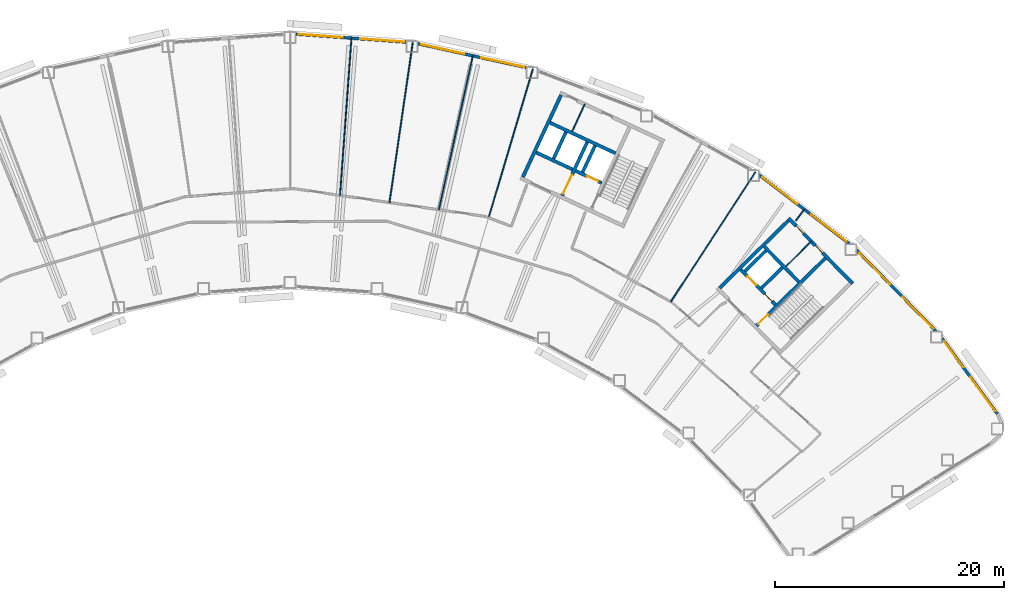
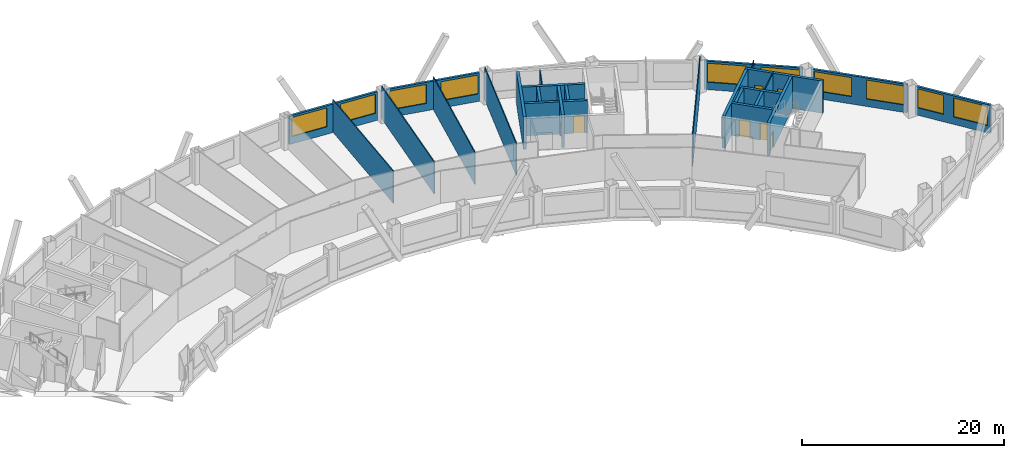
# One storey, part 7 of 11: 27 walls, 10 windows, 7 doors, 17 openings.
"""IFC4 building model written with IfcOpenShell, lengths in metres."""

from ifc_helpers import new_model, si_unit, direction, frame, frame_2d, origin, place, context, subcontext, project, spatial, rectangle, extrude, material, layer, layer_set, type_object, element, fill, save


model = new_model("IFC4")

# Units and contexts
model_context = context("Model", 3, precision=1e-05, world=origin(), true_north=direction((0.0, 1.0)))
body_context = subcontext(model_context, "Body", "Model", "MODEL_VIEW")
ifc_project = project(units=[si_unit("LENGTHUNIT", "METRE"), si_unit("AREAUNIT", "SQUARE_METRE"), si_unit("VOLUMEUNIT", "CUBIC_METRE"), si_unit("PLANEANGLEUNIT", "RADIAN"), si_unit("MASSUNIT", "GRAM", prefix="KILO")], contexts=[model_context])

# Site, building, storey
site_placement = place(None, origin())
site = spatial("IfcSite", under=ifc_project, at=site_placement, CompositionType="ELEMENT")
building_placement = place(site_placement, origin())
building = spatial("IfcBuilding", under=site, at=building_placement, Name="Tuul Gate Civic Tower", CompositionType="ELEMENT")
storey_placement = place(building_placement, frame((0.0, 0.0, 138.199951171875)))
storey = spatial("IfcBuildingStorey", under=building, at=storey_placement, Name="Level 31", CompositionType="ELEMENT", Elevation=138.199951171875)

# Wall, openings, doors
ifc_material_1 = material(Name="Concrete C50/60", Category="concrete")
ifc_layer_1 = layer(ifc_material_1, 0.300048828125)
ifc_layer_set_1 = layer_set([ifc_layer_1], Name="Concrete C50/60")
wall_type_1 = type_object("IfcWallType", Name="Core wall C50/60", PredefinedType="SHEAR", material=ifc_layer_set_1)
wall_1_placement = place(storey_placement, frame((47.701904296875, -14.079833984375, 0.0), z_axis=(0.0, 0.0, 1.0), x_axis=(-0.700002721075, 0.714140175657, 0.0)))
wall_1 = element("IfcWall", 1, at=wall_1_placement, inside=storey, type_object=wall_type_1, Name="Core wall", PredefinedType="SHEAR", context=body_context, shape_type="SweptSolid", body=[
    extrude(rectangle(XDim=4.300048828125, YDim=0.300048828125, at=frame_2d((2.14990234375, 0.0))), origin(), (0.0, 0.0, 1.0), 3.900146484375),
])
opening_1_placement = place(wall_1_placement, frame((0.425048828125, 0.0, 0.0)))
opening_1 = element("IfcOpeningElement", 2, at=opening_1_placement, cuts=wall_1, Name="Opening FB-E1A1", PredefinedType="OPENING", context=body_context, shape_type="SweptSolid", body=[
    extrude(rectangle(XDim=0.89990234375, YDim=2.10009765625, at=frame_2d((0.449951171875, 1.050048828125))), frame((0.0, 0.16015625, 0.0), z_axis=(0.0, -1.0, 0.0), x_axis=(1.0, 0.0, 0.0)), (0.0, 0.0, 1.0), 0.320068359375),
])
opening_2_placement = place(wall_1_placement, frame((2.375, 0.0, 0.0)))
opening_2 = element("IfcOpeningElement", 3, at=opening_2_placement, cuts=wall_1, Name="Opening LD-M3", PredefinedType="OPENING", context=body_context, shape_type="SweptSolid", body=[
    extrude(rectangle(XDim=1.10009765625, YDim=2.10009765625, at=frame_2d((0.550048828125, 1.050048828125))), frame((0.0, 0.16015625, 0.0), z_axis=(0.0, -1.0, 0.0), x_axis=(1.0, 0.0, 0.0)), (0.0, 0.0, 1.0), 0.320068359375),
])
ifc_material_2 = material(Name="Stainless steel", Category="steel")
door_type_1 = type_object("IfcDoorType", Name="Landing door", OperationType="DOUBLE_DOOR_SLIDING", PredefinedType="DOOR", material=ifc_material_2)
door_1_placement = place(opening_2_placement, origin())
door_1 = element("IfcDoor", 4, at=door_1_placement, inside=storey, type_object=door_type_1, Name="Mid-rise lift M3 landing door", OperationType="DOUBLE_DOOR_SLIDING", OverallHeight=2.10009765625, OverallWidth=1.10009765625, PredefinedType="DOOR", context=body_context, shape_type="SweptSolid", body=[
    extrude(rectangle(XDim=1.10009765625, YDim=2.10009765625, at=frame_2d((0.550048828125, 1.050048828125))), frame((0.0, 0.02490234375, 0.0), z_axis=(0.0, -1.0, 0.0), x_axis=(1.0, 0.0, 0.0)), (0.0, 0.0, 1.0), 0.050048828125),
])
fill(opening_2, door_1)
ifc_material_3 = material(Name="Steel", Category="steel")
door_type_2 = type_object("IfcDoorType", Name="Store door", OperationType="NOTDEFINED", PredefinedType="DOOR", material=ifc_material_3)
door_2_placement = place(opening_1_placement, frame((0.89990234375, 0.0, 0.0), z_axis=(0.0, 0.0, 1.0), x_axis=(-1.0, 0.0, 0.0)))
door_2 = element("IfcDoor", 5, at=door_2_placement, inside=storey, type_object=door_type_2, Name="Store door E1A1", OperationType="SINGLE_SWING_RIGHT", OverallHeight=2.10009765625, OverallWidth=0.89990234375, PredefinedType="DOOR", context=body_context, shape_type="SweptSolid", body=[
    extrude(rectangle(XDim=0.89990234375, YDim=2.10009765625, at=frame_2d((0.449951171875, 1.050048828125))), frame((0.0, 0.02490234375, 0.0), z_axis=(0.0, -1.0, 0.0), x_axis=(1.0, 0.0, 0.0)), (0.0, 0.0, 1.0), 0.050048828125),
])
fill(opening_1, door_2)

# Wall
wall_2_placement = place(storey_placement, frame((49.737060546875, -12.0849609375, 0.0), z_axis=(0.0, 0.0, 1.0), x_axis=(-0.700002721075, 0.714140175657, 0.0)))
element("IfcWall", 6, at=wall_2_placement, inside=storey, type_object=wall_type_1, Name="Core wall", PredefinedType="SHEAR", context=body_context, shape_type="SweptSolid", body=[
    extrude(rectangle(XDim=4.300048828125, YDim=0.300048828125, at=frame_2d((2.14990234375, 0.0))), origin(), (0.0, 0.0, 1.0), 3.900146484375),
])

# Wall, openings, doors
wall_3_placement = place(storey_placement, frame((54.43798828125, -12.23779296875, 0.0), z_axis=(0.0, 0.0, 1.0), x_axis=(-0.700021979774, 0.714121297703, 0.0)))
wall_3 = element("IfcWall", 7, at=wall_3_placement, inside=storey, type_object=wall_type_1, Name="Core wall", PredefinedType="SHEAR", context=body_context, shape_type="SweptSolid", body=[
    extrude(rectangle(XDim=8.0, YDim=0.300048828125, at=frame_2d((4.0, 0.0))), origin(), (0.0, 0.0, 1.0), 3.900146484375),
])
opening_3_placement = place(wall_3_placement, frame((3.75, 0.0, 0.0)))
opening_3 = element("IfcOpeningElement", 8, at=opening_3_placement, cuts=wall_3, Name="Opening K-D24", PredefinedType="OPENING", context=body_context, shape_type="SweptSolid", body=[
    extrude(rectangle(XDim=0.89990234375, YDim=2.10009765625, at=frame_2d((0.449951171875, 1.050048828125))), frame((0.0, 0.16015625, 0.0), z_axis=(0.0, -1.0, 0.0), x_axis=(1.0, 0.0, 0.0)), (0.0, 0.0, 1.0), 0.320068359375),
])
opening_4_placement = place(wall_3_placement, frame((6.125, 0.0, 0.0)))
opening_4 = element("IfcOpeningElement", 9, at=opening_4_placement, cuts=wall_3, Name="Opening K-D25", PredefinedType="OPENING", context=body_context, shape_type="SweptSolid", body=[
    extrude(rectangle(XDim=0.89990234375, YDim=2.10009765625, at=frame_2d((0.449951171875, 1.050048828125))), frame((0.0, 0.16015625, 0.0), z_axis=(0.0, -1.0, 0.0), x_axis=(1.0, 0.0, 0.0)), (0.0, 0.0, 1.0), 0.320068359375),
])
ifc_material_4 = material(Name="Timber door leaf", Category="wood")
door_type_3 = type_object("IfcDoorType", Name="Door D09", OperationType="NOTDEFINED", PredefinedType="DOOR", material=ifc_material_4)
door_3_placement = place(opening_3_placement, origin())
door_3 = element("IfcDoor", 10, at=door_3_placement, inside=storey, type_object=door_type_3, Name="Door K-D24", OperationType="SINGLE_SWING_LEFT", OverallHeight=2.10009765625, OverallWidth=0.89990234375, PredefinedType="DOOR", context=body_context, shape_type="SweptSolid", body=[
    extrude(rectangle(XDim=0.89990234375, YDim=2.10009765625, at=frame_2d((0.449951171875, 1.050048828125))), frame((0.0, 0.02490234375, 0.0), z_axis=(0.0, -1.0, 0.0), x_axis=(1.0, 0.0, 0.0)), (0.0, 0.0, 1.0), 0.050048828125),
])
fill(opening_3, door_3)
door_4_placement = place(opening_4_placement, origin())
door_4 = element("IfcDoor", 11, at=door_4_placement, inside=storey, type_object=door_type_3, Name="Door K-D25", OperationType="SINGLE_SWING_LEFT", OverallHeight=2.10009765625, OverallWidth=0.89990234375, PredefinedType="DOOR", context=body_context, shape_type="SweptSolid", body=[
    extrude(rectangle(XDim=0.89990234375, YDim=2.10009765625, at=frame_2d((0.449951171875, 1.050048828125))), frame((0.0, 0.02490234375, 0.0), z_axis=(0.0, -1.0, 0.0), x_axis=(1.0, 0.0, 0.0)), (0.0, 0.0, 1.0), 0.050048828125),
])
fill(opening_4, door_4)

# Wall, opening, door
wall_4_placement = place(storey_placement, frame((46.05712890625, -15.902099609375, 0.0), z_axis=(0.0, 0.0, 1.0), x_axis=(0.714134086973, 0.700008932674, 0.0)))
wall_4 = element("IfcWall", 12, at=wall_4_placement, inside=storey, type_object=wall_type_1, Name="Core wall", PredefinedType="SHEAR", context=body_context, shape_type="SweptSolid", body=[
    extrude(rectangle(XDim=8.400146484375, YDim=0.300048828125, at=frame_2d((4.2001953125, 0.0))), origin(), (0.0, 0.0, 1.0), 3.900146484375),
])
opening_5_placement = place(wall_4_placement, frame((0.199951171875, 0.0, 0.0)))
opening_5 = element("IfcOpeningElement", 13, at=opening_5_placement, cuts=wall_4, Name="Opening SD-ST-3", PredefinedType="OPENING", context=body_context, shape_type="SweptSolid", body=[
    extrude(rectangle(XDim=1.199951171875, YDim=2.10009765625, at=frame_2d((0.60009765625, 1.050048828125))), frame((0.0, 0.16015625, 0.0), z_axis=(0.0, -1.0, 0.0), x_axis=(1.0, 0.0, 0.0)), (0.0, 0.0, 1.0), 0.320068359375),
])
ifc_material_5 = material(Name="Steel", Category="steel")
door_type_4 = type_object("IfcDoorType", Name="Stair door", OperationType="NOTDEFINED", PredefinedType="DOOR", material=ifc_material_5)
door_5_placement = place(opening_5_placement, origin())
door_5 = element("IfcDoor", 14, at=door_5_placement, inside=storey, type_object=door_type_4, Name="Stair door ST-3", OperationType="SINGLE_SWING_LEFT", OverallHeight=2.10009765625, OverallWidth=1.199951171875, PredefinedType="DOOR", context=body_context, shape_type="SweptSolid", body=[
    extrude(rectangle(XDim=1.199951171875, YDim=2.10009765625, at=frame_2d((0.60009765625, 1.050048828125))), frame((0.0, 0.02490234375, 0.0), z_axis=(0.0, -1.0, 0.0), x_axis=(1.0, 0.0, 0.0)), (0.0, 0.0, 1.0), 0.050048828125),
])
fill(opening_5, door_5)

# Walls
wall_5_placement = place(storey_placement, frame((46.47900390625, -12.617919921875, 0.0), z_axis=(0.0, 0.0, 1.0), x_axis=(0.71410944159, 0.700034074479, 0.0)))
element("IfcWall", 15, at=wall_5_placement, inside=storey, type_object=wall_type_1, Name="Core wall", PredefinedType="SHEAR", context=body_context, shape_type="SweptSolid", body=[
    extrude(rectangle(XDim=2.5498046875, YDim=0.300048828125, at=frame_2d((1.27490234375, 0.0))), origin(), (0.0, 0.0, 1.0), 3.900146484375),
])
wall_6_placement = place(storey_placement, frame((45.0439453125, -11.154052734375, 0.0), z_axis=(0.0, 0.0, 1.0), x_axis=(0.714108498262, 0.700035036773, 0.0)))
element("IfcWall", 16, at=wall_6_placement, inside=storey, type_object=wall_type_1, Name="Core wall", PredefinedType="SHEAR", context=body_context, shape_type="SweptSolid", body=[
    extrude(rectangle(XDim=2.550048828125, YDim=0.300048828125, at=frame_2d((1.27490234375, 0.0))), origin(), (0.0, 0.0, 1.0), 3.900146484375),
])
wall_7_placement = place(storey_placement, frame((42.837158203125, -12.616943359375, 0.0), z_axis=(0.0, 0.0, 1.0), x_axis=(0.714119844755, 0.700023461983, 0.0)))
element("IfcWall", 17, at=wall_7_placement, inside=storey, type_object=wall_type_1, Name="Core wall", PredefinedType="SHEAR", context=body_context, shape_type="SweptSolid", body=[
    extrude(rectangle(XDim=8.39990234375, YDim=0.300048828125, at=frame_2d((4.199951171875, 0.0))), origin(), (0.0, 0.0, 1.0), 3.900146484375),
])

# Wall, opening, door
wall_8_placement = place(storey_placement, frame((32.545654296875, -3.456787109375, 0.0), z_axis=(0.0, 0.0, 1.0), x_axis=(-0.906300357825, 0.42263419337, 0.0)))
wall_8 = element("IfcWall", 18, at=wall_8_placement, inside=storey, type_object=wall_type_1, Name="Core wall", PredefinedType="SHEAR", context=body_context, shape_type="SweptSolid", body=[
    extrude(rectangle(XDim=2.500244140625, YDim=0.300048828125, at=frame_2d((1.25, 0.0))), origin(), (0.0, 0.0, 1.0), 3.900146484375),
])
opening_6_placement = place(wall_8_placement, frame((0.324951171875, 0.0, 0.0)))
opening_6 = element("IfcOpeningElement", 19, at=opening_6_placement, cuts=wall_8, Name="Opening LD-FF-2", PredefinedType="OPENING", context=body_context, shape_type="SweptSolid", body=[
    extrude(rectangle(XDim=1.10009765625, YDim=2.10009765625, at=frame_2d((0.550048828125, 1.050048828125))), frame((0.0, 0.16015625, 0.0), z_axis=(0.0, -1.0, 0.0), x_axis=(1.0, 0.0, 0.0)), (0.0, 0.0, 1.0), 0.320068359375),
])
door_6_placement = place(opening_6_placement, origin())
door_6 = element("IfcDoor", 20, at=door_6_placement, inside=storey, type_object=door_type_1, Name="Fire-fighting lift FF-2 landing door", OperationType="DOUBLE_DOOR_SLIDING", OverallHeight=2.10009765625, OverallWidth=1.10009765625, PredefinedType="DOOR", context=body_context, shape_type="SweptSolid", body=[
    extrude(rectangle(XDim=1.10009765625, YDim=2.10009765625, at=frame_2d((0.550048828125, 1.050048828125))), frame((0.0, 0.02490234375, 0.0), z_axis=(0.0, -1.0, 0.0), x_axis=(1.0, 0.0, 0.0)), (0.0, 0.0, 1.0), 0.050048828125),
])
fill(opening_6, door_6)

# Walls
wall_9_placement = place(storey_placement, frame((30.0078125, -2.2734375, 0.0), z_axis=(0.0, 0.0, 1.0), x_axis=(-0.90630071767, 0.422633421716, 0.0)))
element("IfcWall", 21, at=wall_9_placement, inside=storey, type_object=wall_type_1, Name="Core wall", PredefinedType="SHEAR", context=body_context, shape_type="SweptSolid", body=[
    extrude(rectangle(XDim=3.5, YDim=0.300048828125, at=frame_2d((1.75, 0.0))), origin(), (0.0, 0.0, 1.0), 3.900146484375),
])
wall_10_placement = place(storey_placement, frame((33.75, -0.873779296875, 0.0), z_axis=(0.0, 0.0, 1.0), x_axis=(-0.906300917592, 0.422632992999, 0.0)))
element("IfcWall", 22, at=wall_10_placement, inside=storey, type_object=wall_type_1, Name="Core wall", PredefinedType="SHEAR", context=body_context, shape_type="SweptSolid", body=[
    extrude(rectangle(XDim=6.300048828125, YDim=0.300048828125, at=frame_2d((3.14990234375, 0.0))), origin(), (0.0, 0.0, 1.0), 3.900146484375),
])
wall_11_placement = place(storey_placement, frame((30.886962890625, -2.517822265625, 0.0), z_axis=(0.0, 0.0, 1.0), x_axis=(0.422612891016, 0.906310291427, 0.0)))
element("IfcWall", 23, at=wall_11_placement, inside=storey, type_object=wall_type_1, Name="Core wall", PredefinedType="SHEAR", context=body_context, shape_type="SweptSolid", body=[
    extrude(rectangle(XDim=2.550048828125, YDim=0.300048828125, at=frame_2d((1.27490234375, 0.0))), origin(), (0.0, 0.0, 1.0), 3.900146484375),
])

# Wall, opening, door
wall_12_placement = place(storey_placement, frame((29.108642578125, -4.557373046875, 0.0), z_axis=(0.0, 0.0, 1.0), x_axis=(0.422566235356, 0.90633204552, 0.0)))
wall_12 = element("IfcWall", 24, at=wall_12_placement, inside=storey, type_object=wall_type_1, Name="Core wall", PredefinedType="SHEAR", context=body_context, shape_type="SweptSolid", body=[
    extrude(rectangle(XDim=5.150146484375, YDim=0.300048828125, at=frame_2d((2.5751953125, 0.0))), origin(), (0.0, 0.0, 1.0), 3.900146484375),
])
opening_7_placement = place(wall_12_placement, frame((0.175048828125, 0.0, 0.0)))
opening_7 = element("IfcOpeningElement", 25, at=opening_7_placement, cuts=wall_12, Name="Opening LB-E3-FLOBBY-1", PredefinedType="OPENING", context=body_context, shape_type="SweptSolid", body=[
    extrude(rectangle(XDim=1.800048828125, YDim=2.10009765625, at=frame_2d((0.89990234375, 1.050048828125))), frame((0.0, 0.16015625, 0.0), z_axis=(0.0, -1.0, 0.0), x_axis=(1.0, 0.0, 0.0)), (0.0, 0.0, 1.0), 0.320068359375),
])
ifc_material_6 = material(Name="Steel", Category="steel")
door_type_5 = type_object("IfcDoorType", Name="Lobby door", OperationType="DOUBLE_DOOR_SINGLE_SWING", PredefinedType="DOOR", material=ifc_material_6)
door_7_placement = place(opening_7_placement, frame((1.800048828125, 0.0, 0.0), z_axis=(0.0, 0.0, 1.0), x_axis=(-1.0, 0.0, 0.0)))
door_7 = element("IfcDoor", 26, at=door_7_placement, inside=storey, type_object=door_type_5, Name="Lobby door E3-FLOBBY", OperationType="DOUBLE_DOOR_SINGLE_SWING", OverallHeight=2.10009765625, OverallWidth=1.800048828125, PredefinedType="DOOR", context=body_context, shape_type="SweptSolid", body=[
    extrude(rectangle(XDim=1.800048828125, YDim=2.10009765625, at=frame_2d((0.900146484375, 1.050048828125))), frame((0.0, 0.02490234375, 0.0), z_axis=(0.0, -1.0, 0.0), x_axis=(1.0, 0.0, 0.0)), (0.0, 0.0, 1.0), 0.050048828125),
])
fill(opening_7, door_7)

# Walls
wall_13_placement = place(storey_placement, frame((28.349365234375, -1.33447265625, 0.0), z_axis=(0.0, 0.0, 1.0), x_axis=(0.422612891016, 0.906310291427, 0.0)))
element("IfcWall", 27, at=wall_13_placement, inside=storey, type_object=wall_type_1, Name="Core wall", PredefinedType="SHEAR", context=body_context, shape_type="SweptSolid", body=[
    extrude(rectangle(XDim=2.550048828125, YDim=0.300048828125, at=frame_2d((1.27490234375, 0.0))), origin(), (0.0, 0.0, 1.0), 3.900146484375),
])
wall_14_placement = place(storey_placement, frame((25.66455078125, -2.951416015625, 0.0), z_axis=(0.0, 0.0, 1.0), x_axis=(0.422582604137, 0.906324413596, 0.0)))
element("IfcWall", 28, at=wall_14_placement, inside=storey, type_object=wall_type_1, Name="Core wall", PredefinedType="SHEAR", context=body_context, shape_type="SweptSolid", body=[
    extrude(rectangle(XDim=7.89990234375, YDim=0.300048828125, at=frame_2d((3.949951171875, 0.0))), origin(), (0.0, 0.0, 1.0), 3.900146484375),
])

# Wall, openings, windows
ifc_material_7 = material(Name="Precast concrete C40/50", Category="concrete")
ifc_layer_2 = layer(ifc_material_7, 0.25)
ifc_layer_set_2 = layer_set([ifc_layer_2], Name="Precast concrete C40/50")
wall_type_2 = type_object("IfcWallType", Name="External wall", PredefinedType="STANDARD", material=ifc_layer_set_2)
wall_15_placement = place(storey_placement, frame((67.06298828125, -23.61376953125, 0.0), z_axis=(0.0, 0.0, 1.0), x_axis=(-0.589745261817, 0.807589330145, 0.0)))
wall_15 = element("IfcWall", 29, at=wall_15_placement, inside=storey, type_object=wall_type_2, Name="External wall", PredefinedType="STANDARD", context=body_context, shape_type="SweptSolid", body=[
    extrude(rectangle(XDim=8.167724609375, YDim=0.25, at=frame_2d((4.083984375, 0.0))), origin(), (0.0, 0.0, 1.0), 3.449951171875),
])
opening_8_placement = place(wall_15_placement, frame((0.30078125, 0.0, 0.89990234375)))
opening_8 = element("IfcOpeningElement", 30, at=opening_8_placement, cuts=wall_15, Name="Opening W21", PredefinedType="OPENING", context=body_context, shape_type="SweptSolid", body=[
    extrude(rectangle(XDim=3.699951171875, YDim=2.300048828125, at=frame_2d((1.85009765625, 1.14990234375))), frame((0.0, 0.135009765625, 0.0), z_axis=(0.0, -1.0, 0.0), x_axis=(1.0, 0.0, 0.0)), (0.0, 0.0, 1.0), 0.27001953125),
])
opening_9_placement = place(wall_15_placement, frame((5.052734375, 0.0, 0.89990234375)))
opening_9 = element("IfcOpeningElement", 31, at=opening_9_placement, cuts=wall_15, Name="Opening W23", PredefinedType="OPENING", context=body_context, shape_type="SweptSolid", body=[
    extrude(rectangle(XDim=2.800048828125, YDim=2.300048828125, at=frame_2d((1.39990234375, 1.14990234375))), frame((0.0, 0.135009765625, 0.0), z_axis=(0.0, -1.0, 0.0), x_axis=(1.0, 0.0, 0.0)), (0.0, 0.0, 1.0), 0.27001953125),
])
ifc_material_8 = material(Name="Glass", Category="glass")
window_type_1 = type_object("IfcWindowType", Name="Window W21 3700 x 2300", PartitioningType="SINGLE_PANEL", PredefinedType="WINDOW", material=ifc_material_8)
window_1_placement = place(opening_8_placement, origin())
window_1 = element("IfcWindow", 32, at=window_1_placement, inside=storey, type_object=window_type_1, Name="Window", OverallHeight=2.300048828125, OverallWidth=3.699951171875, PartitioningType="SINGLE_PANEL", PredefinedType="WINDOW", context=body_context, shape_type="SweptSolid", body=[
    extrude(rectangle(XDim=3.699951171875, YDim=2.300048828125, at=frame_2d((1.85009765625, 1.14990234375))), frame((0.0, 0.030029296875, 0.0), z_axis=(0.0, -1.0, 0.0), x_axis=(1.0, 0.0, 0.0)), (0.0, 0.0, 1.0), 0.06005859375),
])
fill(opening_8, window_1)
ifc_material_9 = material(Name="Glass", Category="glass")
window_type_2 = type_object("IfcWindowType", Name="Window W23 2800 x 2300", PartitioningType="SINGLE_PANEL", PredefinedType="WINDOW", material=ifc_material_9)
window_2_placement = place(opening_9_placement, origin())
window_2 = element("IfcWindow", 33, at=window_2_placement, inside=storey, type_object=window_type_2, Name="Window", OverallHeight=2.300048828125, OverallWidth=2.800048828125, PartitioningType="SINGLE_PANEL", PredefinedType="WINDOW", context=body_context, shape_type="SweptSolid", body=[
    extrude(rectangle(XDim=2.800048828125, YDim=2.300048828125, at=frame_2d((1.39990234375, 1.14990234375))), frame((0.0, 0.030029296875, 0.0), z_axis=(0.0, -1.0, 0.0), x_axis=(1.0, 0.0, 0.0)), (0.0, 0.0, 1.0), 0.06005859375),
])
fill(opening_9, window_2)

wall_16_placement = place(storey_placement, frame((61.7109375, -16.384033203125, 0.0), z_axis=(0.0, 0.0, 1.0), x_axis=(-0.700039889753, 0.714103740891, 0.0)))
wall_16 = element("IfcWall", 34, at=wall_16_placement, inside=storey, type_object=wall_type_2, Name="External wall", PredefinedType="STANDARD", context=body_context, shape_type="SweptSolid", body=[
    extrude(rectangle(XDim=9.912353515625, YDim=0.25, at=frame_2d((4.9560546875, 0.0))), origin(), (0.0, 0.0, 1.0), 3.449951171875),
])
opening_10_placement = place(wall_16_placement, frame((0.3466796875, 0.0, 0.89990234375)))
opening_10 = element("IfcOpeningElement", 35, at=opening_10_placement, cuts=wall_16, Name="Opening W22", PredefinedType="OPENING", context=body_context, shape_type="SweptSolid", body=[
    extrude(rectangle(XDim=3.85009765625, YDim=2.300048828125, at=frame_2d((1.925048828125, 1.14990234375))), frame((0.0, 0.135009765625, 0.0), z_axis=(0.0, -1.0, 0.0), x_axis=(1.0, 0.0, 0.0)), (0.0, 0.0, 1.0), 0.27001953125),
])
opening_11_placement = place(wall_16_placement, frame((5.7177734375, 0.0, 0.89990234375)))
opening_11 = element("IfcOpeningElement", 36, at=opening_11_placement, cuts=wall_16, Name="Opening W22", PredefinedType="OPENING", context=body_context, shape_type="SweptSolid", body=[
    extrude(rectangle(XDim=3.85009765625, YDim=2.300048828125, at=frame_2d((1.925048828125, 1.14990234375))), frame((0.0, 0.135009765625, 0.0), z_axis=(0.0, -1.0, 0.0), x_axis=(1.0, 0.0, 0.0)), (0.0, 0.0, 1.0), 0.27001953125),
])
ifc_material_10 = material(Name="Glass", Category="glass")
window_type_3 = type_object("IfcWindowType", Name="Window W22 3850 x 2300", PartitioningType="SINGLE_PANEL", PredefinedType="WINDOW", material=ifc_material_10)
window_3_placement = place(opening_10_placement, origin())
window_3 = element("IfcWindow", 37, at=window_3_placement, inside=storey, type_object=window_type_3, Name="Window", OverallHeight=2.300048828125, OverallWidth=3.85009765625, PartitioningType="SINGLE_PANEL", PredefinedType="WINDOW", context=body_context, shape_type="SweptSolid", body=[
    extrude(rectangle(XDim=3.85009765625, YDim=2.300048828125, at=frame_2d((1.925048828125, 1.14990234375))), frame((0.0, 0.030029296875, 0.0), z_axis=(0.0, -1.0, 0.0), x_axis=(1.0, 0.0, 0.0)), (0.0, 0.0, 1.0), 0.06005859375),
])
fill(opening_10, window_3)
window_4_placement = place(opening_11_placement, origin())
window_4 = element("IfcWindow", 38, at=window_4_placement, inside=storey, type_object=window_type_3, Name="Window", OverallHeight=2.300048828125, OverallWidth=3.85009765625, PartitioningType="SINGLE_PANEL", PredefinedType="WINDOW", context=body_context, shape_type="SweptSolid", body=[
    extrude(rectangle(XDim=3.85009765625, YDim=2.300048828125, at=frame_2d((1.925048828125, 1.14990234375))), frame((0.0, 0.030029296875, 0.0), z_axis=(0.0, -1.0, 0.0), x_axis=(1.0, 0.0, 0.0)), (0.0, 0.0, 1.0), 0.06005859375),
])
fill(opening_11, window_4)

wall_17_placement = place(storey_placement, frame((54.15087890625, -8.759033203125, 0.0), z_axis=(0.0, 0.0, 1.0), x_axis=(-0.795610041496, 0.605809096887, 0.0)))
wall_17 = element("IfcWall", 39, at=wall_17_placement, inside=storey, type_object=wall_type_2, Name="External wall", PredefinedType="STANDARD", context=body_context, shape_type="SweptSolid", body=[
    extrude(rectangle(XDim=9.89794921875, YDim=0.25, at=frame_2d((4.948974609375, 0.0))), origin(), (0.0, 0.0, 1.0), 3.449951171875),
])
opening_12_placement = place(wall_17_placement, frame((0.3291015625, 0.0, 0.89990234375)))
opening_12 = element("IfcOpeningElement", 40, at=opening_12_placement, cuts=wall_17, Name="Opening W22", PredefinedType="OPENING", context=body_context, shape_type="SweptSolid", body=[
    extrude(rectangle(XDim=3.85009765625, YDim=2.300048828125, at=frame_2d((1.925048828125, 1.14990234375))), frame((0.0, 0.135009765625, 0.0), z_axis=(0.0, -1.0, 0.0), x_axis=(1.0, 0.0, 0.0)), (0.0, 0.0, 1.0), 0.27001953125),
])
opening_13_placement = place(wall_17_placement, frame((5.700439453125, 0.0, 0.89990234375)))
opening_13 = element("IfcOpeningElement", 41, at=opening_13_placement, cuts=wall_17, Name="Opening W22", PredefinedType="OPENING", context=body_context, shape_type="SweptSolid", body=[
    extrude(rectangle(XDim=3.85009765625, YDim=2.300048828125, at=frame_2d((1.925048828125, 1.14990234375))), frame((0.0, 0.135009765625, 0.0), z_axis=(0.0, -1.0, 0.0), x_axis=(1.0, 0.0, 0.0)), (0.0, 0.0, 1.0), 0.27001953125),
])
window_5_placement = place(opening_12_placement, origin())
window_5 = element("IfcWindow", 42, at=window_5_placement, inside=storey, type_object=window_type_3, Name="Window", OverallHeight=2.300048828125, OverallWidth=3.85009765625, PartitioningType="SINGLE_PANEL", PredefinedType="WINDOW", context=body_context, shape_type="SweptSolid", body=[
    extrude(rectangle(XDim=3.85009765625, YDim=2.300048828125, at=frame_2d((1.925048828125, 1.14990234375))), frame((0.0, 0.030029296875, 0.0), z_axis=(0.0, -1.0, 0.0), x_axis=(1.0, 0.0, 0.0)), (0.0, 0.0, 1.0), 0.06005859375),
])
fill(opening_12, window_5)
window_6_placement = place(opening_13_placement, origin())
window_6 = element("IfcWindow", 43, at=window_6_placement, inside=storey, type_object=window_type_3, Name="Window", OverallHeight=2.300048828125, OverallWidth=3.85009765625, PartitioningType="SINGLE_PANEL", PredefinedType="WINDOW", context=body_context, shape_type="SweptSolid", body=[
    extrude(rectangle(XDim=3.85009765625, YDim=2.300048828125, at=frame_2d((1.925048828125, 1.14990234375))), frame((0.0, 0.030029296875, 0.0), z_axis=(0.0, -1.0, 0.0), x_axis=(1.0, 0.0, 0.0)), (0.0, 0.0, 1.0), 0.06005859375),
])
fill(opening_13, window_6)

wall_18_placement = place(storey_placement, frame((25.950927734375, 6.60546875, 0.0), z_axis=(0.0, 0.0, 1.0), x_axis=(-0.976568733391, 0.215205736364, 0.0)))
wall_18 = element("IfcWall", 44, at=wall_18_placement, inside=storey, type_object=wall_type_2, Name="External wall", PredefinedType="STANDARD", context=body_context, shape_type="SweptSolid", body=[
    extrude(rectangle(XDim=9.654296875, YDim=0.25, at=frame_2d((4.8271484375, 0.0))), origin(), (0.0, 0.0, 1.0), 3.449951171875),
])
opening_14_placement = place(wall_18_placement, frame((0.145263671875, 0.0, 0.89990234375)))
opening_14 = element("IfcOpeningElement", 45, at=opening_14_placement, cuts=wall_18, Name="Opening W22", PredefinedType="OPENING", context=body_context, shape_type="SweptSolid", body=[
    extrude(rectangle(XDim=3.85009765625, YDim=2.300048828125, at=frame_2d((1.925048828125, 1.14990234375))), frame((0.0, 0.135009765625, 0.0), z_axis=(0.0, -1.0, 0.0), x_axis=(1.0, 0.0, 0.0)), (0.0, 0.0, 1.0), 0.27001953125),
])
opening_15_placement = place(wall_18_placement, frame((5.5166015625, 0.0, 0.89990234375)))
opening_15 = element("IfcOpeningElement", 46, at=opening_15_placement, cuts=wall_18, Name="Opening W22", PredefinedType="OPENING", context=body_context, shape_type="SweptSolid", body=[
    extrude(rectangle(XDim=3.85009765625, YDim=2.300048828125, at=frame_2d((1.925048828125, 1.14990234375))), frame((0.0, 0.135009765625, 0.0), z_axis=(0.0, -1.0, 0.0), x_axis=(1.0, 0.0, 0.0)), (0.0, 0.0, 1.0), 0.27001953125),
])
window_7_placement = place(opening_14_placement, origin())
window_7 = element("IfcWindow", 47, at=window_7_placement, inside=storey, type_object=window_type_3, Name="Window", OverallHeight=2.300048828125, OverallWidth=3.85009765625, PartitioningType="SINGLE_PANEL", PredefinedType="WINDOW", context=body_context, shape_type="SweptSolid", body=[
    extrude(rectangle(XDim=3.85009765625, YDim=2.300048828125, at=frame_2d((1.925048828125, 1.14990234375))), frame((0.0, 0.030029296875, 0.0), z_axis=(0.0, -1.0, 0.0), x_axis=(1.0, 0.0, 0.0)), (0.0, 0.0, 1.0), 0.06005859375),
])
fill(opening_14, window_7)
window_8_placement = place(opening_15_placement, origin())
window_8 = element("IfcWindow", 48, at=window_8_placement, inside=storey, type_object=window_type_3, Name="Window", OverallHeight=2.300048828125, OverallWidth=3.85009765625, PartitioningType="SINGLE_PANEL", PredefinedType="WINDOW", context=body_context, shape_type="SweptSolid", body=[
    extrude(rectangle(XDim=3.85009765625, YDim=2.300048828125, at=frame_2d((1.925048828125, 1.14990234375))), frame((0.0, 0.030029296875, 0.0), z_axis=(0.0, -1.0, 0.0), x_axis=(1.0, 0.0, 0.0)), (0.0, 0.0, 1.0), 0.06005859375),
])
fill(opening_15, window_8)

wall_19_placement = place(storey_placement, frame((15.52294921875, 8.822509765625, 0.0), z_axis=(0.0, 0.0, 1.0), x_axis=(-0.997386456692, 0.07225133914, 0.0)))
wall_19 = element("IfcWall", 49, at=wall_19_placement, inside=storey, type_object=wall_type_2, Name="External wall", PredefinedType="STANDARD", context=body_context, shape_type="SweptSolid", body=[
    extrude(rectangle(XDim=9.67431640625, YDim=0.25, at=frame_2d((4.837158203125, 0.0))), origin(), (0.0, 0.0, 1.0), 3.449951171875),
])
opening_16_placement = place(wall_19_placement, frame((0.203125, 0.0, 0.89990234375)))
opening_16 = element("IfcOpeningElement", 50, at=opening_16_placement, cuts=wall_19, Name="Opening W22", PredefinedType="OPENING", context=body_context, shape_type="SweptSolid", body=[
    extrude(rectangle(XDim=3.85009765625, YDim=2.300048828125, at=frame_2d((1.925048828125, 1.14990234375))), frame((0.0, 0.135009765625, 0.0), z_axis=(0.0, -1.0, 0.0), x_axis=(1.0, 0.0, 0.0)), (0.0, 0.0, 1.0), 0.27001953125),
])
opening_17_placement = place(wall_19_placement, frame((5.57421875, 0.0, 0.89990234375)))
opening_17 = element("IfcOpeningElement", 51, at=opening_17_placement, cuts=wall_19, Name="Opening W22", PredefinedType="OPENING", context=body_context, shape_type="SweptSolid", body=[
    extrude(rectangle(XDim=3.85009765625, YDim=2.300048828125, at=frame_2d((1.925048828125, 1.14990234375))), frame((0.0, 0.135009765625, 0.0), z_axis=(0.0, -1.0, 0.0), x_axis=(1.0, 0.0, 0.0)), (0.0, 0.0, 1.0), 0.27001953125),
])
window_9_placement = place(opening_16_placement, origin())
window_9 = element("IfcWindow", 52, at=window_9_placement, inside=storey, type_object=window_type_3, Name="Window", OverallHeight=2.300048828125, OverallWidth=3.85009765625, PartitioningType="SINGLE_PANEL", PredefinedType="WINDOW", context=body_context, shape_type="SweptSolid", body=[
    extrude(rectangle(XDim=3.85009765625, YDim=2.300048828125, at=frame_2d((1.925048828125, 1.14990234375))), frame((0.0, 0.030029296875, 0.0), z_axis=(0.0, -1.0, 0.0), x_axis=(1.0, 0.0, 0.0)), (0.0, 0.0, 1.0), 0.06005859375),
])
fill(opening_16, window_9)
window_10_placement = place(opening_17_placement, origin())
window_10 = element("IfcWindow", 53, at=window_10_placement, inside=storey, type_object=window_type_3, Name="Window", OverallHeight=2.300048828125, OverallWidth=3.85009765625, PartitioningType="SINGLE_PANEL", PredefinedType="WINDOW", context=body_context, shape_type="SweptSolid", body=[
    extrude(rectangle(XDim=3.85009765625, YDim=2.300048828125, at=frame_2d((1.925048828125, 1.14990234375))), frame((0.0, 0.030029296875, 0.0), z_axis=(0.0, -1.0, 0.0), x_axis=(1.0, 0.0, 0.0)), (0.0, 0.0, 1.0), 0.06005859375),
])
fill(opening_17, window_10)

# Walls
ifc_material_11 = material(Name="Gypsum board partition")
ifc_layer_3 = layer(ifc_material_11, 0.10009765625)
ifc_layer_set_3 = layer_set([ifc_layer_3], Name="Gypsum board partition")
wall_type_3 = type_object("IfcWallType", Name="Partition P100", PredefinedType="PARTITIONING", material=ifc_layer_set_3)
wall_20_placement = place(storey_placement, frame((49.474853515625, -6.746337890625, 0.0), z_axis=(0.0, 0.0, 1.0), x_axis=(0.605733843496, 0.795667336796, 0.0)))
element("IfcWall", 54, at=wall_20_placement, inside=storey, type_object=wall_type_3, Name="p003", PredefinedType="PARTITIONING", context=body_context, shape_type="SweptSolid", body=[
    extrude(rectangle(XDim=1.236572265625, YDim=0.10009765625, at=frame_2d((0.6181640625, 0.0))), origin(), (0.0, 0.0, 1.0), 3.900146484375),
])
wall_21_placement = place(storey_placement, frame((38.574951171875, -13.820068359375, 0.0), z_axis=(0.0, 0.0, 1.0), x_axis=(0.546734837923, 0.837305808532, 0.0)))
element("IfcWall", 55, at=wall_21_placement, inside=storey, type_object=wall_type_3, Name="p009", PredefinedType="PARTITIONING", context=body_context, shape_type="SweptSolid", body=[
    extrude(rectangle(XDim=13.5029296875, YDim=0.10009765625, at=frame_2d((6.75146484375, 0.0))), origin(), (0.0, 0.0, 1.0), 3.900146484375),
])
wall_22_placement = place(storey_placement, frame((22.68359375, -6.497314453125, 0.0), z_axis=(0.0, 0.0, 1.0), x_axis=(0.285214745919, 0.958463639744, 0.0)))
element("IfcWall", 56, at=wall_22_placement, inside=storey, type_object=wall_type_3, Name="p015", PredefinedType="PARTITIONING", context=body_context, shape_type="SweptSolid", body=[
    extrude(rectangle(XDim=13.5390625, YDim=0.10009765625, at=frame_2d((6.76953125, 0.0))), origin(), (0.0, 0.0, 1.0), 3.900146484375),
])
wall_23_placement = place(storey_placement, frame((18.34912109375, -5.793212890625, 0.0), z_axis=(0.0, 0.0, 1.0), x_axis=(0.215211687089, 0.976567422015, 0.0)))
element("IfcWall", 57, at=wall_23_placement, inside=storey, type_object=wall_type_3, Name="p020", PredefinedType="PARTITIONING", context=body_context, shape_type="SweptSolid", body=[
    extrude(rectangle(XDim=13.749267578125, YDim=0.10009765625, at=frame_2d((6.87451171875, 0.0))), origin(), (0.0, 0.0, 1.0), 3.900146484375),
])
wall_24_placement = place(storey_placement, frame((14.038818359375, -5.16748046875, 0.0), z_axis=(0.0, 0.0, 1.0), x_axis=(0.144120779415, 0.989560104764, 0.0)))
element("IfcWall", 58, at=wall_24_placement, inside=storey, type_object=wall_type_3, Name="p022", PredefinedType="PARTITIONING", context=body_context, shape_type="SweptSolid", body=[
    extrude(rectangle(XDim=14.1025390625, YDim=0.10009765625, at=frame_2d((7.05126953125, 0.0))), origin(), (0.0, 0.0, 1.0), 3.900146484375),
])
wall_25_placement = place(storey_placement, frame((9.72900390625, -4.54150390625, 0.0), z_axis=(0.0, 0.0, 1.0), x_axis=(0.07225122654, 0.997386464849, 0.0)))
element("IfcWall", 59, at=wall_25_placement, inside=storey, type_object=wall_type_3, Name="p023", PredefinedType="PARTITIONING", context=body_context, shape_type="SweptSolid", body=[
    extrude(rectangle(XDim=13.752685546875, YDim=0.10009765625, at=frame_2d((6.87646484375, 0.0))), origin(), (0.0, 0.0, 1.0), 3.900146484375),
])
wall_26_placement = place(storey_placement, frame((48.619140625, -10.72998046875, 0.0), z_axis=(0.0, 0.0, 1.0), x_axis=(0.714159293908, 0.699983216173, 0.0)))
element("IfcWall", 60, at=wall_26_placement, inside=storey, type_object=wall_type_3, Name="bE1-BAND-0", PredefinedType="PARTITIONING", context=body_context, shape_type="SweptSolid", body=[
    extrude(rectangle(XDim=3.099853515625, YDim=0.10009765625, at=frame_2d((1.5498046875, 0.0))), origin(), (0.0, 0.0, 1.0), 3.900146484375),
])
wall_27_placement = place(storey_placement, frame((29.972900390625, 1.052978515625, 0.0), z_axis=(0.0, 0.0, 1.0), x_axis=(0.422556439746, 0.906336612539, 0.0)))
element("IfcWall", 61, at=wall_27_placement, inside=storey, type_object=wall_type_3, Name="bE3-BAND-0", PredefinedType="PARTITIONING", context=body_context, shape_type="SweptSolid", body=[
    extrude(rectangle(XDim=2.599853515625, YDim=0.10009765625, at=frame_2d((1.2998046875, 0.0))), origin(), (0.0, 0.0, 1.0), 3.900146484375),
])

save(model, "model.ifc")
